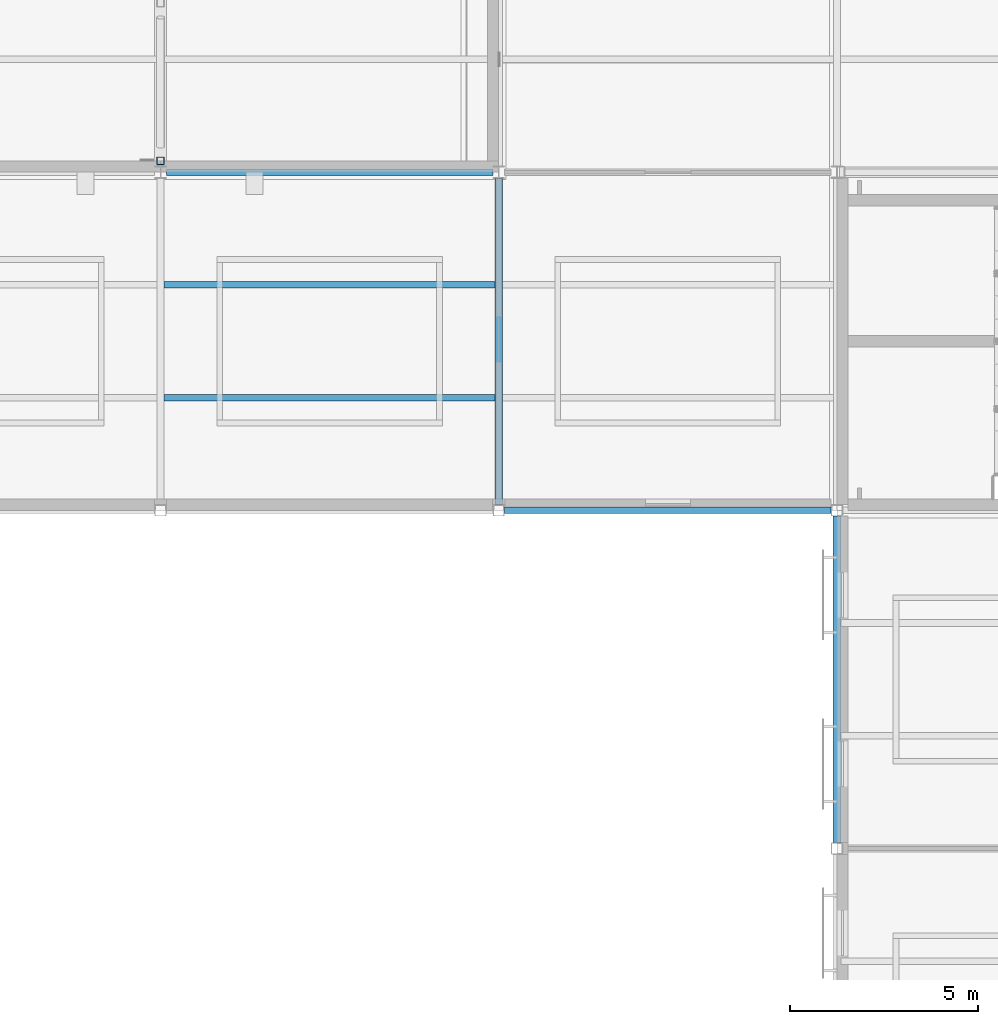
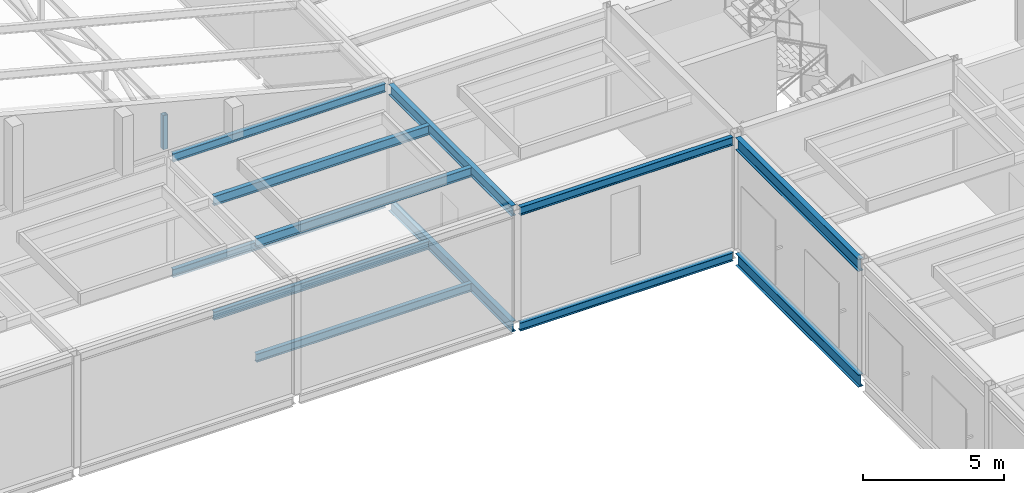
# One storey, part 20 of 115: 12 beams, 1 member.
"""IFC4 building model written with IfcOpenShell, lengths in metres."""

from ifc_helpers import new_model, si_unit, direction, frame, origin, origin_2d, place, context, subcontext, project, spatial, hollow_rectangle, i_section, extrude, material, material_profile, profile_set, type_object, element, save


model = new_model("IFC4")

# Units and contexts
model_context = context("Model", 3, precision=1e-05, world=origin(), true_north=direction((0.0, 1.0)))
body_context = subcontext(model_context, "Body", "Model", "MODEL_VIEW")
ifc_project = project(units=[si_unit("LENGTHUNIT", "METRE"), si_unit("AREAUNIT", "SQUARE_METRE"), si_unit("VOLUMEUNIT", "CUBIC_METRE"), si_unit("PLANEANGLEUNIT", "RADIAN"), si_unit("MASSUNIT", "GRAM", prefix="KILO")], contexts=[model_context])

# Site, building, storey
site_placement = place(None, origin())
site = spatial("IfcSite", under=ifc_project, at=site_placement, CompositionType="ELEMENT")
building_placement = place(site_placement, origin())
building = spatial("IfcBuilding", under=site, at=building_placement, Name="Shorebreak Coast Museum", CompositionType="ELEMENT")
storey_placement = place(building_placement, frame((0.0, 0.0, 11.0)))
storey = spatial("IfcBuildingStorey", under=building, at=storey_placement, Name="L02", CompositionType="ELEMENT", Elevation=11.0)

# Member
ifc_material_1 = material(Name="Steel Grade C450L0", Category="steel")
ifc_material_profile_1 = material_profile(ifc_material_1, hollow_rectangle(XDim=0.199951171875, YDim=0.199951171875, WallThickness=0.009033203125, InnerFilletRadius=0.013427734375, OuterFilletRadius=0.0224609375, at=origin_2d()), Name="200x200x9.0 SHS")
ifc_profile_set_1 = profile_set([ifc_material_profile_1], Name="Steel Grade C450L0")
member_type = type_object("IfcMemberType", Name="Auditorium roof truss strut 200x200x9.0 SHS", PredefinedType="STRUT", material=ifc_profile_set_1)
member_placement = place(storey_placement, frame((36.0, 63.300048828125, 4.911376953125), z_axis=(0.0, 0.0, 1.0), x_axis=(1.0, 0.0, 0.0)))
element("IfcMember", 1, at=member_placement, inside=storey, type_object=member_type, Name="Auditorium roof truss TS2 strut V01", PredefinedType="STRUT", context=body_context, shape_type="SweptSolid", body=[
    extrude(hollow_rectangle(XDim=0.199951171875, YDim=0.199951171875, WallThickness=0.009033203125, InnerFilletRadius=0.013427734375, OuterFilletRadius=0.0224609375, at=origin_2d()), origin(), (0.0, 0.0, 1.0), 1.472900390625),
])

# Beams
ifc_material_2 = material(Name="Steel Grade 300", Category="steel")
ifc_material_profile_2 = material_profile(ifc_material_2, i_section(OverallWidth=0.1708984375, OverallDepth=0.355712890625, WebThickness=0.00732421875, FlangeThickness=0.011474609375, FilletRadius=0.011474609375, at=origin_2d()), Name="360UB50.7")
ifc_profile_set_2 = profile_set([ifc_material_profile_2], Name="Steel Grade 300")
beam_type_1 = type_object("IfcBeamType", Name="Floor girder east-west 360UB50.7", PredefinedType="BEAM", material=ifc_profile_set_2)
beam_1_placement = place(storey_placement, frame((45.14990234375, 54.0, -0.352783203125), z_axis=(1.0, 0.0, 0.0), x_axis=(0.0, 1.0, 0.0)))
element("IfcBeam", 2, at=beam_1_placement, inside=storey, type_object=beam_type_1, Name="Floor girder east-west L02 6G", PredefinedType="BEAM", context=body_context, shape_type="SweptSolid", body=[
    extrude(i_section(OverallWidth=0.1708984375, OverallDepth=0.355712890625, WebThickness=0.00732421875, FlangeThickness=0.011474609375, FilletRadius=0.011474609375, at=origin_2d()), origin(), (0.0, 0.0, 1.0), 8.7001953125),
])
beam_2_placement = place(storey_placement, frame((36.155517578125, 63.0, -0.352783203125), z_axis=(1.0, 0.0, 0.0), x_axis=(0.0, 1.0, 0.0)))
element("IfcBeam", 3, at=beam_2_placement, inside=storey, type_object=beam_type_1, Name="Floor girder east-west L02 5H", PredefinedType="BEAM", context=body_context, shape_type="SweptSolid", body=[
    extrude(i_section(OverallWidth=0.1708984375, OverallDepth=0.355712890625, WebThickness=0.00732421875, FlangeThickness=0.011474609375, FilletRadius=0.011474609375, at=origin_2d()), origin(), (0.0, 0.0, 1.0), 8.68896484375),
])
ifc_material_3 = material(Name="Steel Grade 300", Category="steel")
ifc_material_profile_3 = material_profile(ifc_material_3, i_section(OverallWidth=0.19091796875, OverallDepth=0.46044921875, WebThickness=0.010009765625, FlangeThickness=0.01611328125, FilletRadius=0.011474609375, at=origin_2d()), Name="460UB82.1")
ifc_profile_set_3 = profile_set([ifc_material_profile_3], Name="Steel Grade 300")
beam_type_2 = type_object("IfcBeamType", Name="Floor girder north-south 460UB82.1", PredefinedType="BEAM", material=ifc_profile_set_3)
beam_3_placement = place(storey_placement, frame((45.0, 54.14990234375, -0.4052734375), z_axis=(0.0, 1.0, 0.0), x_axis=(-1.0, 0.0, 0.0)))
element("IfcBeam", 4, at=beam_3_placement, inside=storey, type_object=beam_type_2, Name="Floor girder north-south L02 6G", PredefinedType="BEAM", context=body_context, shape_type="SweptSolid", body=[
    extrude(i_section(OverallWidth=0.19091796875, OverallDepth=0.46044921875, WebThickness=0.010009765625, FlangeThickness=0.01611328125, FilletRadius=0.011474609375, at=origin_2d()), origin(), (0.0, 0.0, 1.0), 8.6865234375),
])
ifc_material_4 = material(Name="Steel Grade 300", Category="steel")
ifc_material_profile_4 = material_profile(ifc_material_4, i_section(OverallWidth=0.208984375, OverallDepth=0.5283203125, WebThickness=0.009521484375, FlangeThickness=0.01318359375, FilletRadius=0.013916015625, at=origin_2d()), Name="530UB82.0")
ifc_profile_set_4 = profile_set([ifc_material_profile_4], Name="Steel Grade 300")
beam_type_3 = type_object("IfcBeamType", Name="Floor girder north-south 530UB82.0", PredefinedType="BEAM", material=ifc_profile_set_4)
beam_4_placement = place(storey_placement, frame((54.0, 45.14990234375, -0.439208984375), z_axis=(0.0, 1.0, 0.0), x_axis=(-1.0, 0.0, 0.0)))
element("IfcBeam", 5, at=beam_4_placement, inside=storey, type_object=beam_type_3, Name="Floor girder north-south L02 7F", PredefinedType="BEAM", context=body_context, shape_type="SweptSolid", body=[
    extrude(i_section(OverallWidth=0.208984375, OverallDepth=0.5283203125, WebThickness=0.009521484375, FlangeThickness=0.01318359375, FilletRadius=0.013916015625, at=origin_2d()), origin(), (0.0, 0.0, 1.0), 8.7001953125),
])
ifc_material_5 = material(Name="Steel Grade 300", Category="steel")
ifc_material_profile_5 = material_profile(ifc_material_5, i_section(OverallWidth=0.1708984375, OverallDepth=0.355712890625, WebThickness=0.00732421875, FlangeThickness=0.011474609375, FilletRadius=0.011474609375, at=origin_2d()), Name="360UB50.7")
ifc_profile_set_5 = profile_set([ifc_material_profile_5], Name="Steel Grade 300")
beam_type_4 = type_object("IfcBeamType", Name="Floor joist 360UB50.7", PredefinedType="JOIST", material=ifc_profile_set_5)
for number, where, z_axis, x_axis, name in (
    (6, (36.095458984375, 57.0, -0.352783203125), (1.0, 0.0, 0.0), (0.0, 1.0, 0.0), "Floor joist L02 bay 5G at 3000 mm"),
    (7, (36.095458984375, 60.0, -0.352783203125), (1.0, 0.0, 0.0), (0.0, 1.0, 0.0), "Floor joist L02 bay 5G at 6000 mm"),
):
    element("IfcBeam", number, at=place(storey_placement, frame(where, z_axis=z_axis, x_axis=x_axis)), inside=storey, type_object=beam_type_4, Name=name, PredefinedType="JOIST", context=body_context, shape_type="SweptSolid", body=[
        extrude(i_section(OverallWidth=0.1708984375, OverallDepth=0.355712890625, WebThickness=0.00732421875, FlangeThickness=0.011474609375, FilletRadius=0.011474609375, at=origin_2d()), origin(), (0.0, 0.0, 1.0), 8.80908203125),
    ])
ifc_material_6 = material(Name="Steel Grade 300", Category="steel")
ifc_material_profile_6 = material_profile(ifc_material_6, i_section(OverallWidth=0.1708984375, OverallDepth=0.355712890625, WebThickness=0.00732421875, FlangeThickness=0.011474609375, FilletRadius=0.011474609375, at=origin_2d()), Name="360UB50.7")
ifc_profile_set_6 = profile_set([ifc_material_profile_6], Name="Steel Grade 300")
beam_type_5 = type_object("IfcBeamType", Name="Roof deck girder east-west 360UB50.7", PredefinedType="BEAM", material=ifc_profile_set_6)
beam_5_placement = place(storey_placement, frame((45.14990234375, 54.0, 4.647216796875), z_axis=(1.0, 0.0, 0.0), x_axis=(0.0, 1.0, 0.0)))
element("IfcBeam", 8, at=beam_5_placement, inside=storey, type_object=beam_type_5, Name="Roof deck girder east-west L03 6G", PredefinedType="BEAM", context=body_context, shape_type="SweptSolid", body=[
    extrude(i_section(OverallWidth=0.1708984375, OverallDepth=0.355712890625, WebThickness=0.00732421875, FlangeThickness=0.011474609375, FilletRadius=0.011474609375, at=origin_2d()), origin(), (0.0, 0.0, 1.0), 8.7001953125),
])
beam_6_placement = place(storey_placement, frame((36.155517578125, 63.0, 4.647216796875), z_axis=(1.0, 0.0, 0.0), x_axis=(0.0, 1.0, 0.0)))
element("IfcBeam", 9, at=beam_6_placement, inside=storey, type_object=beam_type_5, Name="Roof deck girder east-west L03 5H", PredefinedType="BEAM", context=body_context, shape_type="SweptSolid", body=[
    extrude(i_section(OverallWidth=0.1708984375, OverallDepth=0.355712890625, WebThickness=0.00732421875, FlangeThickness=0.011474609375, FilletRadius=0.011474609375, at=origin_2d()), origin(), (0.0, 0.0, 1.0), 8.68896484375),
])
ifc_material_7 = material(Name="Steel Grade 300", Category="steel")
ifc_material_profile_7 = material_profile(ifc_material_7, i_section(OverallWidth=0.18994140625, OverallDepth=0.453857421875, WebThickness=0.008544921875, FlangeThickness=0.0126953125, FilletRadius=0.011474609375, at=origin_2d()), Name="460UB67.1")
ifc_profile_set_7 = profile_set([ifc_material_profile_7], Name="Steel Grade 300")
beam_type_6 = type_object("IfcBeamType", Name="Roof deck girder north-south 460UB67.1", PredefinedType="BEAM", material=ifc_profile_set_7)
beam_7_placement = place(storey_placement, frame((45.0, 54.14990234375, 4.59814453125), z_axis=(0.0, 1.0, 0.0), x_axis=(-1.0, 0.0, 0.0)))
element("IfcBeam", 10, at=beam_7_placement, inside=storey, type_object=beam_type_6, Name="Roof deck girder north-south L03 6G", PredefinedType="BEAM", context=body_context, shape_type="SweptSolid", body=[
    extrude(i_section(OverallWidth=0.18994140625, OverallDepth=0.453857421875, WebThickness=0.008544921875, FlangeThickness=0.0126953125, FilletRadius=0.011474609375, at=origin_2d()), origin(), (0.0, 0.0, 1.0), 8.6865234375),
])
ifc_material_8 = material(Name="Steel Grade 300", Category="steel")
ifc_material_profile_8 = material_profile(ifc_material_8, i_section(OverallWidth=0.208984375, OverallDepth=0.5283203125, WebThickness=0.009521484375, FlangeThickness=0.01318359375, FilletRadius=0.013916015625, at=origin_2d()), Name="530UB82.0")
ifc_profile_set_8 = profile_set([ifc_material_profile_8], Name="Steel Grade 300")
beam_type_7 = type_object("IfcBeamType", Name="Roof deck girder north-south 530UB82.0", PredefinedType="BEAM", material=ifc_profile_set_8)
beam_8_placement = place(storey_placement, frame((54.0, 45.14990234375, 4.560791015625), z_axis=(0.0, 1.0, 0.0), x_axis=(-1.0, 0.0, 0.0)))
element("IfcBeam", 11, at=beam_8_placement, inside=storey, type_object=beam_type_7, Name="Roof deck girder north-south L03 7F", PredefinedType="BEAM", context=body_context, shape_type="SweptSolid", body=[
    extrude(i_section(OverallWidth=0.208984375, OverallDepth=0.5283203125, WebThickness=0.009521484375, FlangeThickness=0.01318359375, FilletRadius=0.013916015625, at=origin_2d()), origin(), (0.0, 0.0, 1.0), 8.7001953125),
])
ifc_material_9 = material(Name="Steel Grade 300", Category="steel")
ifc_material_profile_9 = material_profile(ifc_material_9, i_section(OverallWidth=0.177978515625, OverallDepth=0.402587890625, WebThickness=0.007568359375, FlangeThickness=0.010986328125, FilletRadius=0.011474609375, at=origin_2d()), Name="410UB53.7")
ifc_profile_set_9 = profile_set([ifc_material_profile_9], Name="Steel Grade 300")
beam_type_8 = type_object("IfcBeamType", Name="Roof deck joist 410UB53.7", PredefinedType="JOIST", material=ifc_profile_set_9)
for number, where, z_axis, x_axis, name in (
    (12, (36.094970703125, 57.0, 4.623779296875), (1.0, 0.0, 0.0), (0.0, 1.0, 0.0), "Roof deck joist L03 bay 5G at 3000 mm"),
    (13, (36.094970703125, 60.0, 4.623779296875), (1.0, 0.0, 0.0), (0.0, 1.0, 0.0), "Roof deck joist L03 bay 5G at 6000 mm"),
):
    element("IfcBeam", number, at=place(storey_placement, frame(where, z_axis=z_axis, x_axis=x_axis)), inside=storey, type_object=beam_type_8, Name=name, PredefinedType="JOIST", context=body_context, shape_type="SweptSolid", body=[
        extrude(i_section(OverallWidth=0.177978515625, OverallDepth=0.402587890625, WebThickness=0.007568359375, FlangeThickness=0.010986328125, FilletRadius=0.011474609375, at=origin_2d()), origin(), (0.0, 0.0, 1.0), 8.81005859375),
    ])

save(model, "model.ifc")
